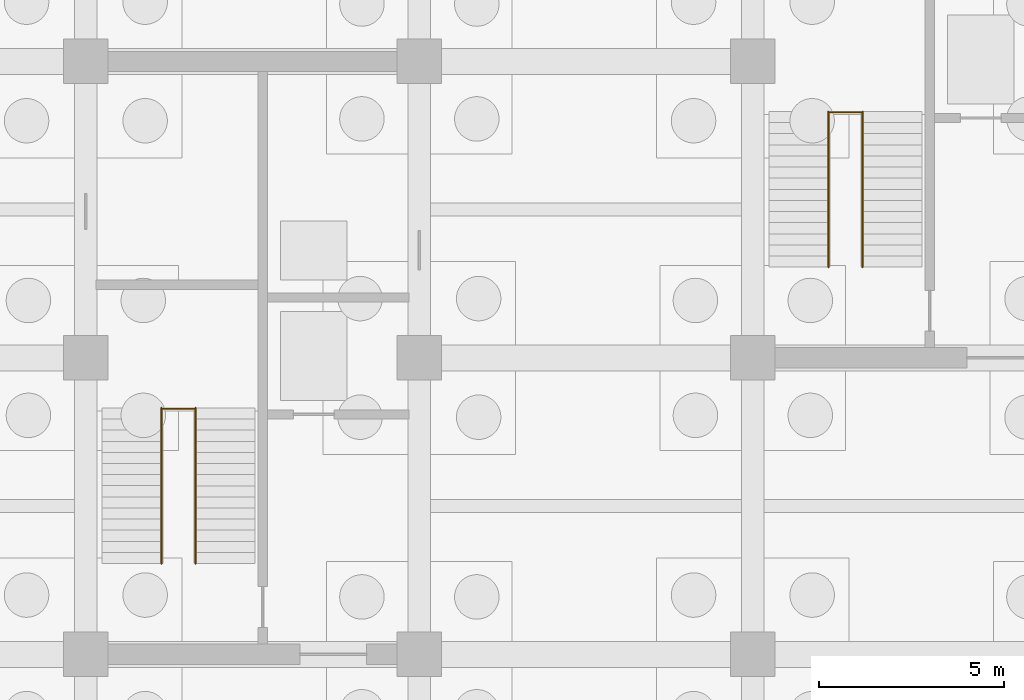
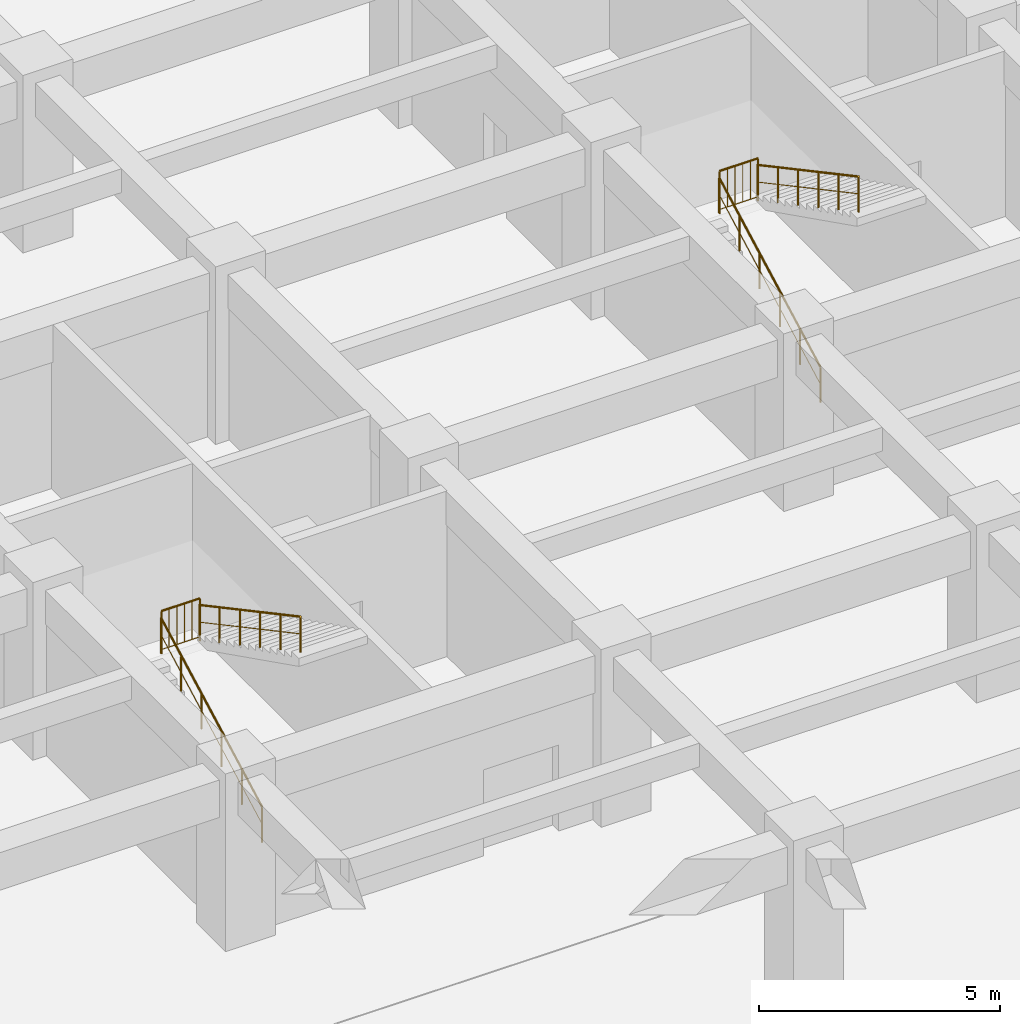
# One storey, part 29 of 31: 6 railings.
"""IFC4 building model written with IfcOpenShell, lengths in metres."""

from ifc_helpers import new_model, si_unit, direction, frame, origin, origin_2d, place, context, subcontext, project, spatial, circle, extrude, material, layer, layer_set, type_object, element, save


model = new_model("IFC4")

# Units and contexts
model_context = context("Model", 3, precision=1e-05, world=origin(), true_north=direction((0.0, 1.0)))
body_context = subcontext(model_context, "Body", "Model", "MODEL_VIEW")
ifc_project = project(units=[si_unit("LENGTHUNIT", "METRE"), si_unit("AREAUNIT", "SQUARE_METRE"), si_unit("VOLUMEUNIT", "CUBIC_METRE"), si_unit("PLANEANGLEUNIT", "RADIAN"), si_unit("MASSUNIT", "GRAM", prefix="KILO")], contexts=[model_context])

# Site, building, storey
site_placement = place(None, origin())
site = spatial("IfcSite", under=ifc_project, at=site_placement, CompositionType="ELEMENT")
building_placement = place(site_placement, origin())
building = spatial("IfcBuilding", under=site, at=building_placement, Name="Zaverband Oceanarium and Marine Research Institute", CompositionType="ELEMENT")
storey_placement = place(building_placement, frame((0.0, 0.0, -9.0)))
storey = spatial("IfcBuildingStorey", under=building, at=storey_placement, Name="B2", CompositionType="ELEMENT", Elevation=-9.0)

# Railings
ifc_material = material(Name="Steel S355", Category="steel")
ifc_layer_1 = layer(ifc_material, 0.06005859375, Name="Steel S355")
ifc_layer_set_1 = layer_set([ifc_layer_1], Name="Steel S355")
railing_type_1 = type_object("IfcRailingType", Name="GRD-1100", PredefinedType="BALUSTRADE", material=ifc_layer_set_1)
for number, where, name in (
    (1, (20.0400390625, 86.6298828125, 2.25), "1100 mm steel post-and-baluster safety guard GRD-1100"),
    (2, (38.0400390625, 94.6298828125, 2.25), "1100 mm steel post-and-baluster safety guard GRD-1100"),
):
    element("IfcRailing", number, at=place(storey_placement, frame(where)), inside=storey, type_object=railing_type_1, Name=name, PredefinedType="BALUSTRADE", context=body_context, shape_type="SweptSolid", body=[
        extrude(circle(Radius=0.02392578125, at=origin_2d()), frame((0.0, 0.0, 1.076171875), z_axis=(1.0, 0.0, 0.0), x_axis=(0.0, 1.0, 0.0)), (0.0, 0.0, 1.0), 0.919921875),
        extrude(circle(Radius=0.009033203125, at=origin_2d()), frame((0.0, 0.0, 0.10009765625), z_axis=(1.0, 0.0, 0.0), x_axis=(0.0, 1.0, 0.0)), (0.0, 0.0, 1.0), 0.919921875),
        extrude(circle(Radius=0.009033203125, at=origin_2d()), frame((0.18408203125, 0.0, 0.10009765625)), (0.0, 0.0, 1.0), 0.951904296875),
        extrude(circle(Radius=0.009033203125, at=origin_2d()), frame((0.367919921875, 0.0, 0.10009765625)), (0.0, 0.0, 1.0), 0.951904296875),
        extrude(circle(Radius=0.009033203125, at=origin_2d()), frame((0.552001953125, 0.0, 0.10009765625)), (0.0, 0.0, 1.0), 0.951904296875),
        extrude(circle(Radius=0.009033203125, at=origin_2d()), frame((0.73583984375, 0.0, 0.10009765625)), (0.0, 0.0, 1.0), 0.951904296875),
        extrude(circle(Radius=0.02099609375, at=origin_2d()), origin(), (0.0, 0.0, 1.0), 1.052001953125),
        extrude(circle(Radius=0.02099609375, at=origin_2d()), frame((0.919921875, 0.0, 0.0)), (0.0, 0.0, 1.0), 1.052001953125),
    ])
ifc_layer_2 = layer(ifc_material, 0.050048828125, Name="Steel S355")
ifc_layer_set_2 = layer_set([ifc_layer_2], Name="Steel S355")
railing_type_2 = type_object("IfcRailingType", Name="HR-920", PredefinedType="HANDRAIL", material=ifc_layer_set_2)
railing_1_placement = place(storey_placement, frame((20.0400390625, 82.449951171875, 0.0)))
element("IfcRailing", 3, at=railing_1_placement, inside=storey, type_object=railing_type_2, Name="920 mm continuous tubular stair and ramp handrail HR-920", PredefinedType="HANDRAIL", context=body_context, shape_type="SweptSolid", body=[
    extrude(circle(Radius=0.02392578125, at=origin_2d()), frame((0.0, 0.0, 0.89599609375), z_axis=(0.0, 0.881477684796, 0.472225678258), x_axis=(-1.0, 0.0, 0.0)), (0.0, 0.0, 1.0), 4.7646484375),
    extrude(circle(Radius=0.009033203125, at=origin_2d()), frame((0.0, 0.0, 0.4599609375), z_axis=(0.0, 0.881477684796, 0.472225678258), x_axis=(-1.0, 0.0, 0.0)), (0.0, 0.0, 1.0), 4.7646484375),
    extrude(circle(Radius=0.02099609375, at=origin_2d()), origin(), (0.0, 0.0, 1.0), 0.871826171875),
    extrude(circle(Radius=0.02099609375, at=origin_2d()), frame((0.0, 0.840087890625, 0.449951171875)), (0.0, 0.0, 1.0), 0.871826171875),
    extrude(circle(Radius=0.02099609375, at=origin_2d()), frame((0.0, 1.679931640625, 0.89990234375)), (0.0, 0.0, 1.0), 0.871826171875),
    extrude(circle(Radius=0.02099609375, at=origin_2d()), frame((0.0, 2.52001953125, 1.35009765625)), (0.0, 0.0, 1.0), 0.871826171875),
    extrude(circle(Radius=0.02099609375, at=origin_2d()), frame((0.0, 3.35986328125, 1.800048828125)), (0.0, 0.0, 1.0), 0.871826171875),
    extrude(circle(Radius=0.02099609375, at=origin_2d()), frame((0.0, 4.199951171875, 2.25)), (0.0, 0.0, 1.0), 0.871826171875),
])
railing_2_placement = place(storey_placement, frame((20.9599609375, 86.64990234375, 2.25)))
element("IfcRailing", 4, at=railing_2_placement, inside=storey, type_object=railing_type_2, Name="920 mm continuous tubular stair and ramp handrail HR-920", PredefinedType="HANDRAIL", context=body_context, shape_type="SweptSolid", body=[
    extrude(circle(Radius=0.02392578125, at=origin_2d()), frame((0.0, 0.0, 0.89599609375), z_axis=(0.0, -0.881477684796, 0.472225678258), x_axis=(1.0, 0.0, 0.0)), (0.0, 0.0, 1.0), 4.7646484375),
    extrude(circle(Radius=0.009033203125, at=origin_2d()), frame((0.0, 0.0, 0.4599609375), z_axis=(0.0, -0.881477684796, 0.472225678258), x_axis=(1.0, 0.0, 0.0)), (0.0, 0.0, 1.0), 4.7646484375),
    extrude(circle(Radius=0.02099609375, at=origin_2d()), origin(), (0.0, 0.0, 1.0), 0.871826171875),
    extrude(circle(Radius=0.02099609375, at=origin_2d()), frame((0.0, -0.840087890625, 0.449951171875)), (0.0, 0.0, 1.0), 0.871826171875),
    extrude(circle(Radius=0.02099609375, at=origin_2d()), frame((0.0, -1.679931640625, 0.89990234375)), (0.0, 0.0, 1.0), 0.871826171875),
    extrude(circle(Radius=0.02099609375, at=origin_2d()), frame((0.0, -2.52001953125, 1.35009765625)), (0.0, 0.0, 1.0), 0.871826171875),
    extrude(circle(Radius=0.02099609375, at=origin_2d()), frame((0.0, -3.35986328125, 1.800048828125)), (0.0, 0.0, 1.0), 0.871826171875),
    extrude(circle(Radius=0.02099609375, at=origin_2d()), frame((0.0, -4.199951171875, 2.25)), (0.0, 0.0, 1.0), 0.871826171875),
])
railing_3_placement = place(storey_placement, frame((38.0400390625, 90.449951171875, 0.0)))
element("IfcRailing", 5, at=railing_3_placement, inside=storey, type_object=railing_type_2, Name="920 mm continuous tubular stair and ramp handrail HR-920", PredefinedType="HANDRAIL", context=body_context, shape_type="SweptSolid", body=[
    extrude(circle(Radius=0.02392578125, at=origin_2d()), frame((0.0, 0.0, 0.89599609375), z_axis=(0.0, 0.881477684796, 0.472225678258), x_axis=(-1.0, 0.0, 0.0)), (0.0, 0.0, 1.0), 4.7646484375),
    extrude(circle(Radius=0.009033203125, at=origin_2d()), frame((0.0, 0.0, 0.4599609375), z_axis=(0.0, 0.881477684796, 0.472225678258), x_axis=(-1.0, 0.0, 0.0)), (0.0, 0.0, 1.0), 4.7646484375),
    extrude(circle(Radius=0.02099609375, at=origin_2d()), origin(), (0.0, 0.0, 1.0), 0.871826171875),
    extrude(circle(Radius=0.02099609375, at=origin_2d()), frame((0.0, 0.840087890625, 0.449951171875)), (0.0, 0.0, 1.0), 0.871826171875),
    extrude(circle(Radius=0.02099609375, at=origin_2d()), frame((0.0, 1.679931640625, 0.89990234375)), (0.0, 0.0, 1.0), 0.871826171875),
    extrude(circle(Radius=0.02099609375, at=origin_2d()), frame((0.0, 2.52001953125, 1.35009765625)), (0.0, 0.0, 1.0), 0.871826171875),
    extrude(circle(Radius=0.02099609375, at=origin_2d()), frame((0.0, 3.35986328125, 1.800048828125)), (0.0, 0.0, 1.0), 0.871826171875),
    extrude(circle(Radius=0.02099609375, at=origin_2d()), frame((0.0, 4.199951171875, 2.25)), (0.0, 0.0, 1.0), 0.871826171875),
])
railing_4_placement = place(storey_placement, frame((38.9599609375, 94.64990234375, 2.25)))
element("IfcRailing", 6, at=railing_4_placement, inside=storey, type_object=railing_type_2, Name="920 mm continuous tubular stair and ramp handrail HR-920", PredefinedType="HANDRAIL", context=body_context, shape_type="SweptSolid", body=[
    extrude(circle(Radius=0.02392578125, at=origin_2d()), frame((0.0, 0.0, 0.89599609375), z_axis=(0.0, -0.881477684796, 0.472225678258), x_axis=(1.0, 0.0, 0.0)), (0.0, 0.0, 1.0), 4.7646484375),
    extrude(circle(Radius=0.009033203125, at=origin_2d()), frame((0.0, 0.0, 0.4599609375), z_axis=(0.0, -0.881477684796, 0.472225678258), x_axis=(1.0, 0.0, 0.0)), (0.0, 0.0, 1.0), 4.7646484375),
    extrude(circle(Radius=0.02099609375, at=origin_2d()), origin(), (0.0, 0.0, 1.0), 0.871826171875),
    extrude(circle(Radius=0.02099609375, at=origin_2d()), frame((0.0, -0.840087890625, 0.449951171875)), (0.0, 0.0, 1.0), 0.871826171875),
    extrude(circle(Radius=0.02099609375, at=origin_2d()), frame((0.0, -1.679931640625, 0.89990234375)), (0.0, 0.0, 1.0), 0.871826171875),
    extrude(circle(Radius=0.02099609375, at=origin_2d()), frame((0.0, -2.52001953125, 1.35009765625)), (0.0, 0.0, 1.0), 0.871826171875),
    extrude(circle(Radius=0.02099609375, at=origin_2d()), frame((0.0, -3.35986328125, 1.800048828125)), (0.0, 0.0, 1.0), 0.871826171875),
    extrude(circle(Radius=0.02099609375, at=origin_2d()), frame((0.0, -4.199951171875, 2.25)), (0.0, 0.0, 1.0), 0.871826171875),
])

save(model, "model.ifc")
